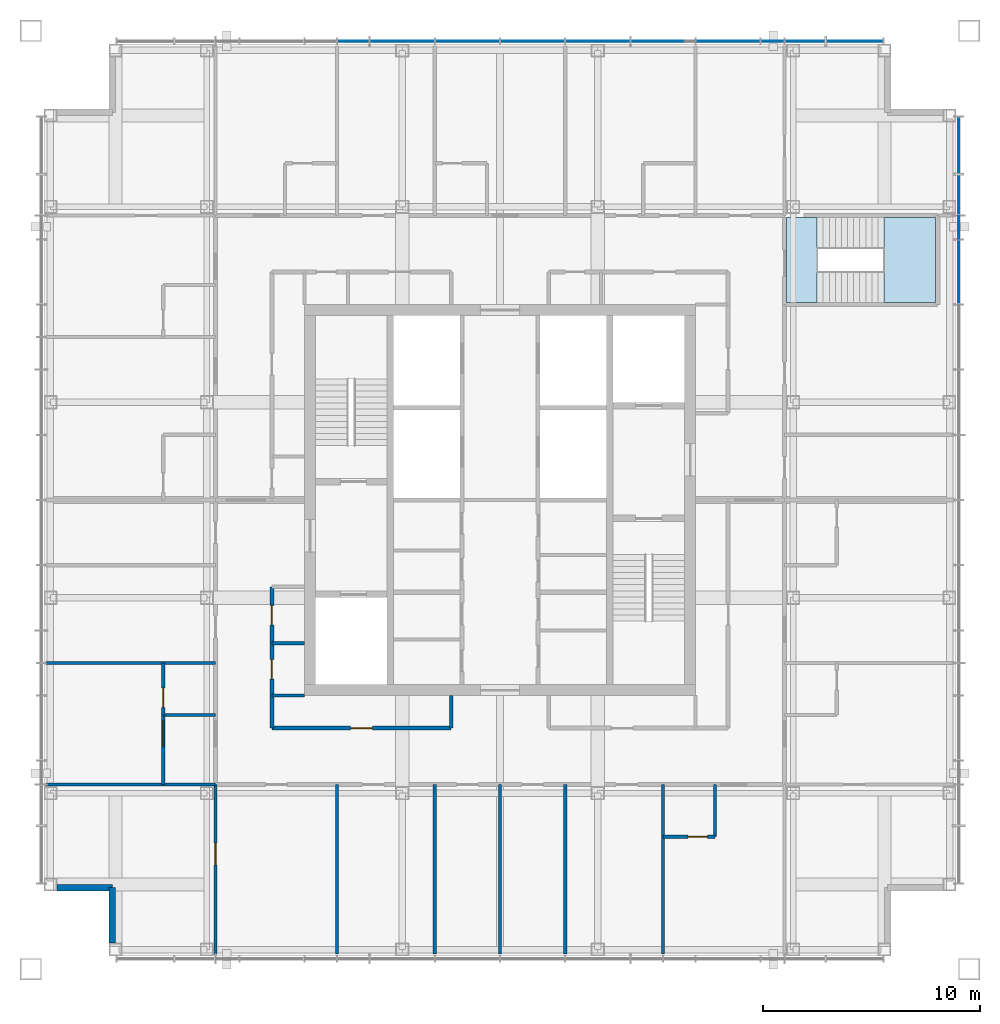
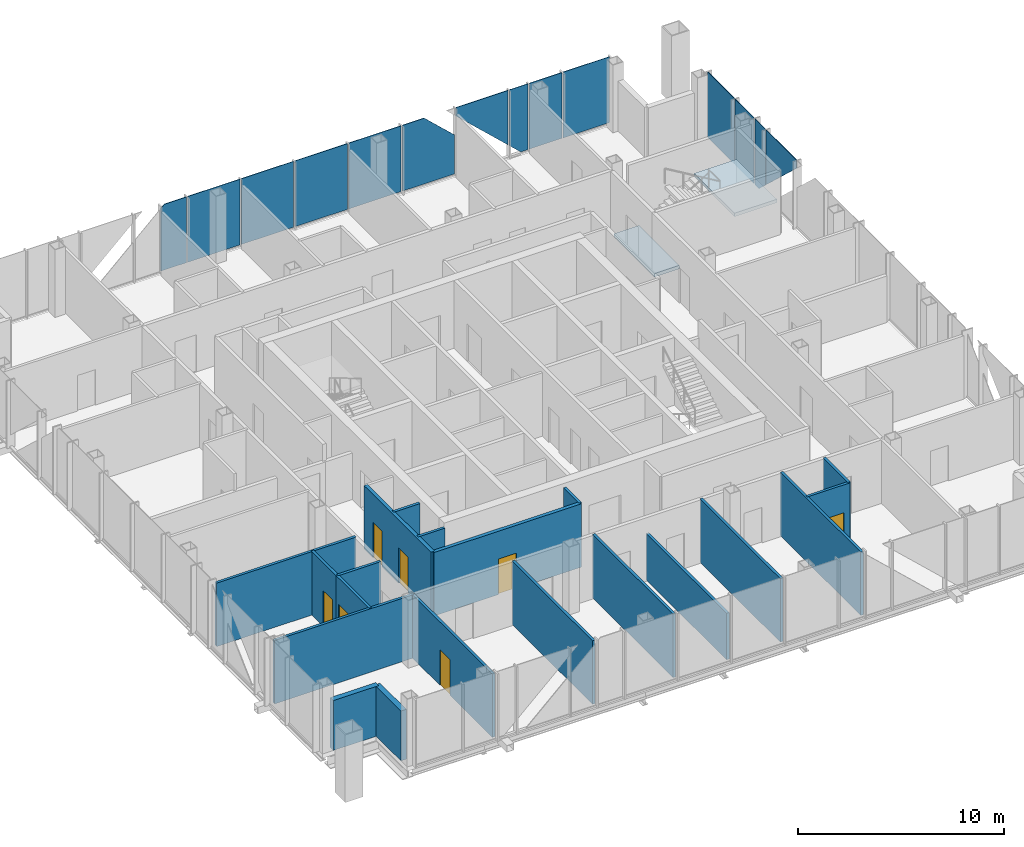
# One storey, part 7 of 14: 20 walls, 14 plates, 7 doors, 2 slabs, 7 openings, 3 elements without a shape of their own.
"""IFC4 building model written with IfcOpenShell, lengths in metres."""

from ifc_helpers import new_model, si_unit, direction, frame, frame_2d, origin, origin_2d, place, context, subcontext, project, spatial, polyline, rectangle, outline, extrude, material, layer, layer_set, type_object, element, fill, aggregate, save


model = new_model("IFC4")

# Units and contexts
model_context = context("Model", 3, precision=1e-05, world=origin(), true_north=direction((0.0, 1.0)))
body_context = subcontext(model_context, "Body", "Model", "MODEL_VIEW")
ifc_project = project(units=[si_unit("LENGTHUNIT", "METRE"), si_unit("AREAUNIT", "SQUARE_METRE"), si_unit("VOLUMEUNIT", "CUBIC_METRE"), si_unit("PLANEANGLEUNIT", "RADIAN"), si_unit("MASSUNIT", "GRAM", prefix="KILO")], contexts=[model_context])

# Site, building, storey
site_placement = place(None, origin())
site = spatial("IfcSite", under=ifc_project, at=site_placement, CompositionType="ELEMENT")
building_placement = place(site_placement, origin())
building = spatial("IfcBuilding", under=site, at=building_placement, Name="Malebo Sky Hospital", CompositionType="ELEMENT")
storey_placement = place(building_placement, frame((0.0, 0.0, 258.0)))
storey = spatial("IfcBuildingStorey", under=building, at=storey_placement, Name="L62", CompositionType="ELEMENT", Elevation=258.0)

# Stair, slabs
ifc_material_1 = material(Name="Concrete C40/50", Category="concrete")
stair_type = type_object("IfcStairType", Name="HALF-TURN STAIR 1400 R167", PredefinedType="HALF_TURN_STAIR", material=ifc_material_1)
stair_placement = place(storey_placement, origin())
stair = element("IfcStair", 1, at=stair_placement, inside=storey, type_object=stair_type, Name="Stair S3 L62 type ST1B", PredefinedType="HALF_TURN_STAIR")
ifc_layer_1 = layer(ifc_material_1, 0.199951171875)
ifc_layer_set_1 = layer_set([ifc_layer_1], Name="STAIR LANDING 200")
slab_type = type_object("IfcSlabType", Name="STAIR LANDING 200", PredefinedType="LANDING", material=ifc_layer_set_1)
slab_1_placement = place(storey_placement, frame((0.0, 0.0, -0.199951171875)))
slab_1 = element("IfcSlab", 2, at=slab_1_placement, type_object=slab_type, Name="S3 landing 1", PredefinedType="LANDING", context=body_context, shape_type="SweptSolid", body=[
    extrude(outline(polyline([(73.199951171875, 71.10009765625), (73.199951171875, 75.0), (74.60009765625, 75.0), (74.60009765625, 71.10009765625), (73.199951171875, 71.10009765625)])), origin(), (0.0, 0.0, 1.0), 0.199951171875),
])
slab_2_placement = place(storey_placement, frame((0.0, 0.0, 1.800048828125)))
slab_2 = element("IfcSlab", 3, at=slab_2_placement, type_object=slab_type, Name="S3 landing 2", PredefinedType="LANDING", context=body_context, shape_type="SweptSolid", body=[
    extrude(outline(polyline([(77.679931640625, 71.10009765625), (77.679931640625, 75.0), (80.050048828125, 75.0), (80.050048828125, 71.10009765625), (77.679931640625, 71.10009765625)])), origin(), (0.0, 0.0, 1.0), 0.199951171875),
])
aggregate(stair, [slab_1, slab_2])

# Curtain wall, plates
ifc_material_2 = material(Name="Anodised aluminium, natural silver", Category="aluminium")
ifc_layer_2 = layer(ifc_material_2, 0.25)
ifc_layer_set_2 = layer_set([ifc_layer_2], Name="WARD CURTAIN WALL NORTH AND SOUTH")
curtain_wall_type_1 = type_object("IfcCurtainWallType", Name="WARD CURTAIN WALL NORTH AND SOUTH", PredefinedType="NOTDEFINED", material=ifc_layer_set_2)
curtain_wall_1_placement = place(storey_placement, origin())
curtain_wall_1 = element("IfcCurtainWall", 4, at=curtain_wall_1_placement, inside=storey, type_object=curtain_wall_type_1, Name="NS curtain wall N", PredefinedType="NOTDEFINED")
ifc_material_3 = material(Name="Clear low-iron double glazing", Category="glass")
ifc_layer_3 = layer(ifc_material_3, 0.031982421875)
ifc_layer_set_3 = layer_set([ifc_layer_3], Name="VISION PANEL CLEAR 32")
plate_type = type_object("IfcPlateType", Name="VISION PANEL CLEAR 32", PredefinedType="CURTAIN_PANEL", material=ifc_layer_set_3)
plate_1_placement = place(storey_placement, frame((53.25, 83.125, 0.10009765625), z_axis=(0.0, 0.0, 1.0), x_axis=(1.0, 0.0, 0.0)))
plate_1 = element("IfcPlate", 5, at=plate_1_placement, type_object=plate_type, Name="Panel 6", PredefinedType="CURTAIN_PANEL", context=body_context, shape_type="SweptSolid", body=[
    extrude(outline(polyline([(-0.71240234375, 0.0), (0.71240234375, 0.0), (0.71240234375, 3.889892578125), (-0.514404296875, 3.889892578125), (-0.71240234375, 3.70458984375), (-0.71240234375, 0.0)])), frame((0.0, 0.01611328125, 0.0), z_axis=(0.0, -1.0, 0.0), x_axis=(1.0, 0.0, 0.0)), (0.0, 0.0, 1.0), 0.031982421875),
])
plate_2_placement = place(storey_placement, frame((55.5, 83.125, 0.10009765625), z_axis=(0.0, 0.0, 1.0), x_axis=(1.0, 0.0, 0.0)))
plate_2 = element("IfcPlate", 6, at=plate_2_placement, type_object=plate_type, Name="Panel 7", PredefinedType="CURTAIN_PANEL", context=body_context, shape_type="SweptSolid", body=[
    extrude(rectangle(XDim=2.925048828125, YDim=0.031982421875, at=origin_2d()), origin(), (0.0, 0.0, 1.0), 3.889892578125),
])
plate_3_placement = place(storey_placement, frame((58.5, 83.125, 0.10009765625), z_axis=(0.0, 0.0, 1.0), x_axis=(1.0, 0.0, 0.0)))
plate_3 = element("IfcPlate", 7, at=plate_3_placement, type_object=plate_type, Name="Panel 8", PredefinedType="CURTAIN_PANEL", context=body_context, shape_type="SweptSolid", body=[
    extrude(rectangle(XDim=2.925048828125, YDim=0.031982421875, at=origin_2d()), origin(), (0.0, 0.0, 1.0), 3.889892578125),
])
plate_4_placement = place(storey_placement, frame((61.5, 83.125, 0.10009765625), z_axis=(0.0, 0.0, 1.0), x_axis=(1.0, 0.0, 0.0)))
plate_4 = element("IfcPlate", 8, at=plate_4_placement, type_object=plate_type, Name="Panel 9", PredefinedType="CURTAIN_PANEL", context=body_context, shape_type="SweptSolid", body=[
    extrude(rectangle(XDim=2.925048828125, YDim=0.031982421875, at=origin_2d()), origin(), (0.0, 0.0, 1.0), 3.889892578125),
])
plate_5_placement = place(storey_placement, frame((64.5, 83.125, 0.10009765625), z_axis=(0.0, 0.0, 1.0), x_axis=(1.0, 0.0, 0.0)))
plate_5 = element("IfcPlate", 9, at=plate_5_placement, type_object=plate_type, Name="Panel 10", PredefinedType="CURTAIN_PANEL", context=body_context, shape_type="SweptSolid", body=[
    extrude(rectangle(XDim=2.925048828125, YDim=0.031982421875, at=origin_2d()), origin(), (0.0, 0.0, 1.0), 3.889892578125),
])
plate_6_placement = place(storey_placement, frame((67.5, 83.125, 0.10009765625), z_axis=(0.0, 0.0, 1.0), x_axis=(1.0, 0.0, 0.0)))
plate_6 = element("IfcPlate", 10, at=plate_6_placement, type_object=plate_type, Name="Panel 11", PredefinedType="CURTAIN_PANEL", context=body_context, shape_type="SweptSolid", body=[
    extrude(outline(polyline([(-1.46240234375, 0.0), (1.46240234375, 0.0), (1.46240234375, 2.300048828125), (-0.235595703125, 3.889892578125), (-1.46240234375, 3.889892578125), (-1.46240234375, 0.0)])), frame((0.0, 0.01611328125, 0.0), z_axis=(0.0, -1.0, 0.0), x_axis=(1.0, 0.0, 0.0)), (0.0, 0.0, 1.0), 0.031982421875),
])
plate_7_placement = place(storey_placement, frame((70.5, 83.125, 0.7568359375), z_axis=(0.0, 0.0, 1.0), x_axis=(1.0, 0.0, 0.0)))
plate_7 = element("IfcPlate", 11, at=plate_7_placement, type_object=plate_type, Name="Panel 12", PredefinedType="CURTAIN_PANEL", context=body_context, shape_type="SweptSolid", body=[
    extrude(outline(polyline([(1.46240234375, 0.0), (1.46240234375, 3.233154296875), (-1.46240234375, 3.233154296875), (-1.46240234375, 2.73876953125), (1.46240234375, 0.0)])), frame((0.0, 0.01611328125, 0.0), z_axis=(0.0, -1.0, 0.0), x_axis=(1.0, 0.0, 0.0)), (0.0, 0.0, 1.0), 0.031982421875),
])
plate_8_placement = place(storey_placement, frame((72.550048828125, 83.125, 0.10009765625), z_axis=(0.0, 0.0, 1.0), x_axis=(1.0, 0.0, 0.0)))
plate_8 = element("IfcPlate", 12, at=plate_8_placement, type_object=plate_type, Name="Panel 13", PredefinedType="CURTAIN_PANEL", context=body_context, shape_type="SweptSolid", body=[
    extrude(outline(polyline([(0.114013671875, 0.0), (0.512451171875, 0.0), (0.512451171875, 3.889892578125), (-0.512451171875, 3.889892578125), (-0.512451171875, 0.586669921875), (0.114013671875, 0.0)])), frame((0.0, 0.01611328125, 0.0), z_axis=(0.0, -1.0, 0.0), x_axis=(1.0, 0.0, 0.0)), (0.0, 0.0, 1.0), 0.031982421875),
])
plate_9_placement = place(storey_placement, frame((74.050048828125, 83.125, 0.10009765625), z_axis=(0.0, 0.0, 1.0), x_axis=(1.0, 0.0, 0.0)))
plate_9 = element("IfcPlate", 13, at=plate_9_placement, type_object=plate_type, Name="Panel 14", PredefinedType="CURTAIN_PANEL", context=body_context, shape_type="SweptSolid", body=[
    extrude(rectangle(XDim=1.824951171875, YDim=0.031982421875, at=origin_2d()), origin(), (0.0, 0.0, 1.0), 3.889892578125),
])
plate_10_placement = place(storey_placement, frame((76.331298828125, 83.125, 0.10009765625), z_axis=(0.0, 0.0, 1.0), x_axis=(1.0, 0.0, 0.0)))
plate_10 = element("IfcPlate", 14, at=plate_10_placement, type_object=plate_type, Name="Panel 15", PredefinedType="CURTAIN_PANEL", context=body_context, shape_type="SweptSolid", body=[
    extrude(rectangle(XDim=2.58740234375, YDim=0.031982421875, at=origin_2d()), origin(), (0.0, 0.0, 1.0), 3.889892578125),
])
aggregate(curtain_wall_1, [plate_1, plate_2, plate_3, plate_4, plate_5, plate_6, plate_7, plate_8, plate_9, plate_10])

ifc_layer_4 = layer(ifc_material_2, 0.25)
ifc_layer_set_4 = layer_set([ifc_layer_4], Name="WARD CURTAIN WALL EAST AND WEST")
curtain_wall_type_2 = type_object("IfcCurtainWallType", Name="WARD CURTAIN WALL EAST AND WEST", PredefinedType="NOTDEFINED", material=ifc_layer_set_4)
curtain_wall_2_placement = place(storey_placement, origin())
curtain_wall_2 = element("IfcCurtainWall", 15, at=curtain_wall_2_placement, inside=storey, type_object=curtain_wall_type_2, Name="EW curtain wall E", PredefinedType="NOTDEFINED")
plate_11_placement = place(storey_placement, frame((81.125, 78.331298828125, 0.10009765625), z_axis=(0.0, 0.0, 1.0), x_axis=(0.0, -1.0, 0.0)))
plate_11 = element("IfcPlate", 16, at=plate_11_placement, type_object=plate_type, Name="Panel 1", PredefinedType="CURTAIN_PANEL", context=body_context, shape_type="SweptSolid", body=[
    extrude(rectangle(XDim=2.58740234375, YDim=0.031982421875, at=origin_2d()), origin(), (0.0, 0.0, 1.0), 3.889892578125),
])
plate_12_placement = place(storey_placement, frame((81.125, 76.050048828125, 0.10009765625), z_axis=(0.0, 0.0, 1.0), x_axis=(0.0, -1.0, 0.0)))
plate_12 = element("IfcPlate", 17, at=plate_12_placement, type_object=plate_type, Name="Panel 2", PredefinedType="CURTAIN_PANEL", context=body_context, shape_type="SweptSolid", body=[
    extrude(rectangle(XDim=1.824951171875, YDim=0.031982421875, at=origin_2d()), origin(), (0.0, 0.0, 1.0), 3.889892578125),
])
plate_13_placement = place(storey_placement, frame((81.125, 74.550048828125, 0.10009765625), z_axis=(0.0, 0.0, 1.0), x_axis=(0.0, -1.0, 0.0)))
plate_13 = element("IfcPlate", 18, at=plate_13_placement, type_object=plate_type, Name="Panel 3", PredefinedType="CURTAIN_PANEL", context=body_context, shape_type="SweptSolid", body=[
    extrude(outline(polyline([(-0.512451171875, 0.0), (-0.114013671875, 0.0), (0.512451171875, 0.586669921875), (0.512451171875, 3.889892578125), (-0.512451171875, 3.889892578125), (-0.512451171875, 0.0)])), frame((0.0, 0.01611328125, 0.0), z_axis=(0.0, -1.0, 0.0), x_axis=(1.0, 0.0, 0.0)), (0.0, 0.0, 1.0), 0.031982421875),
])
plate_14_placement = place(storey_placement, frame((81.125, 72.5, 0.7568359375), z_axis=(0.0, 0.0, 1.0), x_axis=(0.0, -1.0, 0.0)))
plate_14 = element("IfcPlate", 19, at=plate_14_placement, type_object=plate_type, Name="Panel 4", PredefinedType="CURTAIN_PANEL", context=body_context, shape_type="SweptSolid", body=[
    extrude(outline(polyline([(-1.46240234375, 0.0), (1.46240234375, 2.73876953125), (1.46240234375, 3.233154296875), (-1.46240234375, 3.233154296875), (-1.46240234375, 0.0)])), frame((0.0, 0.01611328125, 0.0), z_axis=(0.0, -1.0, 0.0), x_axis=(1.0, 0.0, 0.0)), (0.0, 0.0, 1.0), 0.031982421875),
])
aggregate(curtain_wall_2, [plate_11, plate_12, plate_13, plate_14])

# Wall, openings, doors
ifc_material_4 = material(Name="Gypsum board on steel studs", Category="steel")
ifc_layer_5 = layer(ifc_material_4, 0.199951171875)
ifc_layer_set_5 = layer_set([ifc_layer_5], Name="CORRIDOR WALL 200")
wall_type_1 = type_object("IfcWallType", Name="CORRIDOR WALL 200", PredefinedType="PARTITIONING", material=ifc_layer_set_5)
wall_1_placement = place(storey_placement, frame((49.5, 51.5, 0.0), z_axis=(0.0, 0.0, 1.0), x_axis=(0.0, 1.0, 0.0)))
wall_1 = element("IfcWall", 20, at=wall_1_placement, inside=storey, type_object=wall_type_1, Name="Corridor Wall 200 WCI1", PredefinedType="PARTITIONING", context=body_context, shape_type="SweptSolid", body=[
    extrude(rectangle(XDim=6.5, YDim=0.199951171875, at=frame_2d((3.25, 0.0))), origin(), (0.0, 0.0, 1.0), 3.75),
])
opening_1_placement = place(wall_1_placement, frame((2.25, 0.0, 0.0)))
opening_1 = element("IfcOpeningElement", 21, at=opening_1_placement, cuts=wall_1, Name="Opening D04", PredefinedType="OPENING", context=body_context, shape_type="SweptSolid", body=[
    extrude(rectangle(XDim=0.89990234375, YDim=2.10009765625, at=frame_2d((0.449951171875, 1.050048828125))), frame((0.0, 0.10986328125, 0.0), z_axis=(0.0, -1.0, 0.0), x_axis=(1.0, 0.0, 0.0)), (0.0, 0.0, 1.0), 0.219970703125),
])
opening_2_placement = place(wall_1_placement, frame((4.75, 0.0, 0.0)))
opening_2 = element("IfcOpeningElement", 22, at=opening_2_placement, cuts=wall_1, Name="Opening D04", PredefinedType="OPENING", context=body_context, shape_type="SweptSolid", body=[
    extrude(rectangle(XDim=0.89990234375, YDim=2.10009765625, at=frame_2d((0.449951171875, 1.050048828125))), frame((0.0, 0.10986328125, 0.0), z_axis=(0.0, -1.0, 0.0), x_axis=(1.0, 0.0, 0.0)), (0.0, 0.0, 1.0), 0.219970703125),
])
ifc_material_5 = material(Name="Hardwood-faced door leaf in steel frame", Category="steel")
door_type_1 = type_object("IfcDoorType", Name="ROOM DOOR 900", OperationType="SINGLE_SWING_LEFT", PredefinedType="DOOR", material=ifc_material_5)
door_1_placement = place(opening_1_placement, origin())
door_1 = element("IfcDoor", 23, at=door_1_placement, inside=storey, type_object=door_type_1, Name="Communications room door", OperationType="SINGLE_SWING_LEFT", OverallHeight=2.10009765625, OverallWidth=0.89990234375, PredefinedType="DOOR", context=body_context, shape_type="SweptSolid", body=[
    extrude(rectangle(XDim=0.89990234375, YDim=2.10009765625, at=frame_2d((0.449951171875, 1.050048828125))), frame((0.0, 0.02490234375, 0.0), z_axis=(0.0, -1.0, 0.0), x_axis=(1.0, 0.0, 0.0)), (0.0, 0.0, 1.0), 0.050048828125),
])
fill(opening_1, door_1)
door_2_placement = place(opening_2_placement, origin())
door_2 = element("IfcDoor", 24, at=door_2_placement, inside=storey, type_object=door_type_1, Name="Equipment store door", OperationType="SINGLE_SWING_LEFT", OverallHeight=2.10009765625, OverallWidth=0.89990234375, PredefinedType="DOOR", context=body_context, shape_type="SweptSolid", body=[
    extrude(rectangle(XDim=0.89990234375, YDim=2.10009765625, at=frame_2d((0.449951171875, 1.050048828125))), frame((0.0, 0.02490234375, 0.0), z_axis=(0.0, -1.0, 0.0), x_axis=(1.0, 0.0, 0.0)), (0.0, 0.0, 1.0), 0.050048828125),
])
fill(opening_2, door_2)

# Wall, opening, door
wall_2_placement = place(storey_placement, frame((57.75, 51.5, 0.0), z_axis=(0.0, 0.0, 1.0), x_axis=(-1.0, 0.0, 0.0)))
wall_2 = element("IfcWall", 25, at=wall_2_placement, inside=storey, type_object=wall_type_1, Name="Corridor Wall 200 SCI2", PredefinedType="PARTITIONING", context=body_context, shape_type="SweptSolid", body=[
    extrude(rectangle(XDim=8.25, YDim=0.199951171875, at=frame_2d((4.125, 0.0))), origin(), (0.0, 0.0, 1.0), 3.75),
])
opening_3_placement = place(wall_2_placement, frame((3.625, 0.0, 0.0)))
opening_3 = element("IfcOpeningElement", 26, at=opening_3_placement, cuts=wall_2, Name="Opening D03", PredefinedType="OPENING", context=body_context, shape_type="SweptSolid", body=[
    extrude(rectangle(XDim=1.0, YDim=2.10009765625, at=frame_2d((0.5, 1.050048828125))), frame((0.0, 0.10986328125, 0.0), z_axis=(0.0, -1.0, 0.0), x_axis=(1.0, 0.0, 0.0)), (0.0, 0.0, 1.0), 0.219970703125),
])
door_type_2 = type_object("IfcDoorType", Name="ROOM DOOR 1000", OperationType="SINGLE_SWING_LEFT", PredefinedType="DOOR", material=ifc_material_5)
door_3_placement = place(opening_3_placement, origin())
door_3 = element("IfcDoor", 27, at=door_3_placement, inside=storey, type_object=door_type_2, Name="Mobile equipment store door", OperationType="SINGLE_SWING_RIGHT", OverallHeight=2.10009765625, OverallWidth=1.0, PredefinedType="DOOR", context=body_context, shape_type="SweptSolid", body=[
    extrude(rectangle(XDim=1.0, YDim=2.10009765625, at=frame_2d((0.5, 1.050048828125))), frame((0.0, 0.02490234375, 0.0), z_axis=(0.0, -1.0, 0.0), x_axis=(1.0, 0.0, 0.0)), (0.0, 0.0, 1.0), 0.050048828125),
])
fill(opening_3, door_3)

# Walls
ifc_material_6 = material(Name="Anodised aluminium rainscreen on steel framing", Category="steel")
ifc_layer_6 = layer(ifc_material_6, 0.300048828125)
ifc_layer_set_6 = layer_set([ifc_layer_6], Name="NOTCH RAINSCREEN WALL 300")
wall_type_2 = type_object("IfcWallType", Name="NOTCH RAINSCREEN WALL 300", PredefinedType="ELEMENTEDWALL", material=ifc_layer_set_6)
for number, where, z_axis, x_axis, name in (
    (28, (42.14990234375, 41.60009765625, 0.0), (0.0, 0.0, 1.0), (0.0, 1.0, 0.0), "Notch rainscreen wall S1 L62"),
    (29, (42.14990234375, 44.14990234375, 0.0), (0.0, 0.0, 1.0), (-1.0, 0.0, 0.0), "Notch rainscreen wall S2 L62"),
):
    element("IfcWall", number, at=place(storey_placement, frame(where, z_axis=z_axis, x_axis=x_axis)), inside=storey, type_object=wall_type_2, Name=name, PredefinedType="ELEMENTEDWALL", context=body_context, shape_type="SweptSolid", body=[
        extrude(rectangle(XDim=2.5498046875, YDim=0.300048828125, at=frame_2d((1.27490234375, 0.0))), origin(), (0.0, 0.0, 1.0), 2.949951171875),
    ])
ifc_layer_7 = layer(ifc_material_4, 0.14990234375)
ifc_layer_set_7 = layer_set([ifc_layer_7], Name="PARTITION 150")
wall_type_3 = type_object("IfcWallType", Name="PARTITION 150", PredefinedType="PARTITIONING", material=ifc_layer_set_7)
for number, where, z_axis, x_axis, name in (
    (30, (46.89990234375, 54.5, 0.0), (0.0, 0.0, 1.0), (-1.0, 0.0, 0.0), "Partition 150 WP-7.5"),
    (31, (46.89990234375, 48.89990234375, 0.0), (0.0, 0.0, 1.0), (-1.0, 0.0, 0.0), "Partition 150 WP0"),
):
    element("IfcWall", number, at=place(storey_placement, frame(where, z_axis=z_axis, x_axis=x_axis)), inside=storey, type_object=wall_type_3, Name=name, PredefinedType="PARTITIONING", context=body_context, shape_type="SweptSolid", body=[
        extrude(rectangle(XDim=7.7998046875, YDim=0.14990234375, at=frame_2d((3.89990234375, 0.0))), origin(), (0.0, 0.0, 1.0), 3.75),
    ])

# Wall, opening, door
wall_3_placement = place(storey_placement, frame((44.5, 52.10009765625, 0.0), z_axis=(0.0, 0.0, 1.0), x_axis=(0.0, 1.0, 0.0)))
wall_3 = element("IfcWall", 32, at=wall_3_placement, inside=storey, type_object=wall_type_3, Name="Partition 150 WE0F", PredefinedType="PARTITIONING", context=body_context, shape_type="SweptSolid", body=[
    extrude(rectangle(XDim=2.39990234375, YDim=0.14990234375, at=frame_2d((1.199951171875, 0.0))), origin(), (0.0, 0.0, 1.0), 3.75),
])
opening_4_placement = place(wall_3_placement, frame((0.35009765625, 0.0, 0.0)))
opening_4 = element("IfcOpeningElement", 33, at=opening_4_placement, cuts=wall_3, Name="Opening D02", PredefinedType="OPENING", context=body_context, shape_type="SweptSolid", body=[
    extrude(rectangle(XDim=0.89990234375, YDim=2.10009765625, at=frame_2d((0.449951171875, 1.050048828125))), frame((0.0, 0.0849609375, 0.0), z_axis=(0.0, -1.0, 0.0), x_axis=(1.0, 0.0, 0.0)), (0.0, 0.0, 1.0), 0.169921875),
])
door_type_3 = type_object("IfcDoorType", Name="EN-SUITE DOOR 900", OperationType="SINGLE_SWING_LEFT", PredefinedType="DOOR", material=ifc_material_5)
door_4_placement = place(opening_4_placement, origin())
door_4 = element("IfcDoor", 34, at=door_4_placement, inside=storey, type_object=door_type_3, Name="En-suite door", OperationType="SINGLE_SWING_LEFT", OverallHeight=2.10009765625, OverallWidth=0.89990234375, PredefinedType="DOOR", context=body_context, shape_type="SweptSolid", body=[
    extrude(rectangle(XDim=0.89990234375, YDim=2.10009765625, at=frame_2d((0.449951171875, 1.050048828125))), frame((0.0, 0.02490234375, 0.0), z_axis=(0.0, -1.0, 0.0), x_axis=(1.0, 0.0, 0.0)), (0.0, 0.0, 1.0), 0.050048828125),
])
fill(opening_4, door_4)

# Walls
wall_4_placement = place(storey_placement, frame((46.89990234375, 52.10009765625, 0.0), z_axis=(0.0, 0.0, 1.0), x_axis=(-1.0, 0.0, 0.0)))
element("IfcWall", 35, at=wall_4_placement, inside=storey, type_object=wall_type_3, Name="Partition 150 WE0S", PredefinedType="PARTITIONING", context=body_context, shape_type="SweptSolid", body=[
    extrude(rectangle(XDim=2.39990234375, YDim=0.14990234375, at=frame_2d((1.199951171875, 0.0))), origin(), (0.0, 0.0, 1.0), 3.75),
])
for number, where, z_axis, x_axis, name in (
    (36, (51.0, 53.0, 0.0), (0.0, 0.0, 1.0), (-1.0, 0.0, 0.0), "Partition 150 WSP0"),
    (37, (51.0, 55.39990234375, 0.0), (0.0, 0.0, 1.0), (-1.0, 0.0, 0.0), "Partition 150 WSP-6.6"),
):
    element("IfcWall", number, at=place(storey_placement, frame(where, z_axis=z_axis, x_axis=x_axis)), inside=storey, type_object=wall_type_3, Name=name, PredefinedType="PARTITIONING", context=body_context, shape_type="SweptSolid", body=[
        extrude(rectangle(XDim=1.5, YDim=0.14990234375, at=frame_2d((0.75, 0.0))), origin(), (0.0, 0.0, 1.0), 3.75),
    ])
for number, where, z_axis, x_axis, name in (
    (38, (67.5, 48.89990234375, 0.0), (0.0, 0.0, 1.0), (0.0, -1.0, 0.0), "Partition 150 SP-7.5"),
    (39, (63.0, 48.89990234375, 0.0), (0.0, 0.0, 1.0), (0.0, -1.0, 0.0), "Partition 150 SP-3.0"),
):
    element("IfcWall", number, at=place(storey_placement, frame(where, z_axis=z_axis, x_axis=x_axis)), inside=storey, type_object=wall_type_3, Name=name, PredefinedType="PARTITIONING", context=body_context, shape_type="SweptSolid", body=[
        extrude(rectangle(XDim=7.7998046875, YDim=0.14990234375, at=frame_2d((3.89990234375, 0.0))), origin(), (0.0, 0.0, 1.0), 3.75),
    ])
wall_5_placement = place(storey_placement, frame((60.0, 48.89990234375, 0.0), z_axis=(0.0, 0.0, 1.0), x_axis=(0.0, -1.0, 0.0)))
element("IfcWall", 40, at=wall_5_placement, inside=storey, type_object=wall_type_3, Name="Partition 150 SP+0.0", PredefinedType="PARTITIONING", context=body_context, shape_type="SweptSolid", body=[
    extrude(rectangle(XDim=7.7998046875, YDim=0.14990234375, at=frame_2d((3.89990234375, 0.0))), origin(), (0.0, 0.0, 1.0), 2.75),
])
for number, where, z_axis, x_axis, name in (
    (41, (57.0, 48.89990234375, 0.0), (0.0, 0.0, 1.0), (0.0, -1.0, 0.0), "Partition 150 SP+3.0"),
    (42, (52.5, 48.89990234375, 0.0), (0.0, 0.0, 1.0), (0.0, -1.0, 0.0), "Partition 150 SP+7.5"),
):
    element("IfcWall", number, at=place(storey_placement, frame(where, z_axis=z_axis, x_axis=x_axis)), inside=storey, type_object=wall_type_3, Name=name, PredefinedType="PARTITIONING", context=body_context, shape_type="SweptSolid", body=[
        extrude(rectangle(XDim=7.7998046875, YDim=0.14990234375, at=frame_2d((3.89990234375, 0.0))), origin(), (0.0, 0.0, 1.0), 3.75),
    ])

# Wall, opening, door
wall_6_placement = place(storey_placement, frame((69.89990234375, 46.5, 0.0), z_axis=(0.0, 0.0, 1.0), x_axis=(-1.0, 0.0, 0.0)))
wall_6 = element("IfcWall", 43, at=wall_6_placement, inside=storey, type_object=wall_type_3, Name="Partition 150 SE0F", PredefinedType="PARTITIONING", context=body_context, shape_type="SweptSolid", body=[
    extrude(rectangle(XDim=2.39990234375, YDim=0.14990234375, at=frame_2d((1.199951171875, 0.0))), origin(), (0.0, 0.0, 1.0), 3.75),
])
opening_5_placement = place(wall_6_placement, frame((0.35009765625, 0.0, 0.0)))
opening_5 = element("IfcOpeningElement", 44, at=opening_5_placement, cuts=wall_6, Name="Opening D02", PredefinedType="OPENING", context=body_context, shape_type="SweptSolid", body=[
    extrude(rectangle(XDim=0.89990234375, YDim=2.10009765625, at=frame_2d((0.449951171875, 1.050048828125))), frame((0.0, 0.0849609375, 0.0), z_axis=(0.0, -1.0, 0.0), x_axis=(1.0, 0.0, 0.0)), (0.0, 0.0, 1.0), 0.169921875),
])
door_5_placement = place(opening_5_placement, origin())
door_5 = element("IfcDoor", 45, at=door_5_placement, inside=storey, type_object=door_type_3, Name="En-suite door", OperationType="SINGLE_SWING_LEFT", OverallHeight=2.10009765625, OverallWidth=0.89990234375, PredefinedType="DOOR", context=body_context, shape_type="SweptSolid", body=[
    extrude(rectangle(XDim=0.89990234375, YDim=2.10009765625, at=frame_2d((0.449951171875, 1.050048828125))), frame((0.0, 0.02490234375, 0.0), z_axis=(0.0, -1.0, 0.0), x_axis=(1.0, 0.0, 0.0)), (0.0, 0.0, 1.0), 0.050048828125),
])
fill(opening_5, door_5)

# Wall
wall_7_placement = place(storey_placement, frame((69.89990234375, 48.89990234375, 0.0), z_axis=(0.0, 0.0, 1.0), x_axis=(0.0, -1.0, 0.0)))
element("IfcWall", 46, at=wall_7_placement, inside=storey, type_object=wall_type_3, Name="Partition 150 SE0S", PredefinedType="PARTITIONING", context=body_context, shape_type="SweptSolid", body=[
    extrude(rectangle(XDim=2.39990234375, YDim=0.14990234375, at=frame_2d((1.199951171875, 0.0))), origin(), (0.0, 0.0, 1.0), 3.75),
])

# Wall, opening, door
wall_8_placement = place(storey_placement, frame((46.89990234375, 48.89990234375, 0.0), z_axis=(0.0, 0.0, 1.0), x_axis=(0.0, -1.0, 0.0)))
wall_8 = element("IfcWall", 47, at=wall_8_placement, inside=storey, type_object=wall_type_3, Name="Partition 150 SK", PredefinedType="PARTITIONING", context=body_context, shape_type="SweptSolid", body=[
    extrude(rectangle(XDim=7.7998046875, YDim=0.14990234375, at=frame_2d((3.89990234375, 0.0))), origin(), (0.0, 0.0, 1.0), 3.75),
])
opening_6_placement = place(wall_8_placement, frame((2.699951171875, 0.0, 0.0)))
opening_6 = element("IfcOpeningElement", 48, at=opening_6_placement, cuts=wall_8, Name="Opening D03", PredefinedType="OPENING", context=body_context, shape_type="SweptSolid", body=[
    extrude(rectangle(XDim=1.0, YDim=2.10009765625, at=frame_2d((0.5, 1.050048828125))), frame((0.0, 0.0849609375, 0.0), z_axis=(0.0, -1.0, 0.0), x_axis=(1.0, 0.0, 0.0)), (0.0, 0.0, 1.0), 0.169921875),
])
door_6_placement = place(opening_6_placement, origin())
door_6 = element("IfcDoor", 49, at=door_6_placement, inside=storey, type_object=door_type_2, Name="Quiet room door", OperationType="SINGLE_SWING_LEFT", OverallHeight=2.10009765625, OverallWidth=1.0, PredefinedType="DOOR", context=body_context, shape_type="SweptSolid", body=[
    extrude(rectangle(XDim=1.0, YDim=2.10009765625, at=frame_2d((0.5, 1.050048828125))), frame((0.0, 0.02490234375, 0.0), z_axis=(0.0, -1.0, 0.0), x_axis=(1.0, 0.0, 0.0)), (0.0, 0.0, 1.0), 0.050048828125),
])
fill(opening_6, door_6)

# Wall
wall_9_placement = place(storey_placement, frame((57.75, 53.0, 0.0), z_axis=(0.0, 0.0, 1.0), x_axis=(0.0, -1.0, 0.0)))
element("IfcWall", 50, at=wall_9_placement, inside=storey, type_object=wall_type_3, Name="Partition 150 SSPB", PredefinedType="PARTITIONING", context=body_context, shape_type="SweptSolid", body=[
    extrude(rectangle(XDim=1.5, YDim=0.14990234375, at=frame_2d((0.75, 0.0))), origin(), (0.0, 0.0, 1.0), 3.75),
])

# Wall, opening, door
ifc_material_7 = material(Name="Sealed gypsum board on steel studs, taped to the slab", Category="steel")
ifc_layer_8 = layer(ifc_material_7, 0.14990234375)
ifc_layer_set_8 = layer_set([ifc_layer_8], Name="SEALED ISOLATION PARTITION 150")
wall_type_4 = type_object("IfcWallType", Name="SEALED ISOLATION PARTITION 150", PredefinedType="PARTITIONING", material=ifc_layer_set_8)
wall_10_placement = place(storey_placement, frame((44.5, 48.89990234375, 0.0), z_axis=(0.0, 0.0, 1.0), x_axis=(0.0, 1.0, 0.0)))
wall_10 = element("IfcWall", 51, at=wall_10_placement, inside=storey, type_object=wall_type_4, Name="Sealed Isolation Partition 150 WA0F", PredefinedType="PARTITIONING", context=body_context, shape_type="SweptSolid", body=[
    extrude(rectangle(XDim=3.2001953125, YDim=0.14990234375, at=frame_2d((1.60009765625, 0.0))), origin(), (0.0, 0.0, 1.0), 3.75),
])
opening_7_placement = place(wall_10_placement, frame((1.75, 0.0, 0.0)))
opening_7 = element("IfcOpeningElement", 52, at=opening_7_placement, cuts=wall_10, Name="Opening D19", PredefinedType="OPENING", context=body_context, shape_type="SweptSolid", body=[
    extrude(rectangle(XDim=1.199951171875, YDim=2.199951171875, at=frame_2d((0.60009765625, 1.10009765625))), frame((0.0, 0.0849609375, 0.0), z_axis=(0.0, -1.0, 0.0), x_axis=(1.0, 0.0, 0.0)), (0.0, 0.0, 1.0), 0.169921875),
])
ifc_material_8 = material(Name="Hardwood-faced door leaf with perimeter seals in steel frame", Category="steel")
door_type_4 = type_object("IfcDoorType", Name="SEALED ISOLATION ROOM DOOR 1200", OperationType="SINGLE_SWING_LEFT", PredefinedType="DOOR", material=ifc_material_8)
door_7_placement = place(opening_7_placement, origin())
door_7 = element("IfcDoor", 53, at=door_7_placement, inside=storey, type_object=door_type_4, Name="Isolation room door", OperationType="SINGLE_SWING_RIGHT", OverallHeight=2.199951171875, OverallWidth=1.199951171875, PredefinedType="DOOR", context=body_context, shape_type="SweptSolid", body=[
    extrude(rectangle(XDim=1.199951171875, YDim=2.199951171875, at=frame_2d((0.60009765625, 1.10009765625))), frame((0.0, 0.02490234375, 0.0), z_axis=(0.0, -1.0, 0.0), x_axis=(1.0, 0.0, 0.0)), (0.0, 0.0, 1.0), 0.050048828125),
])
fill(opening_7, door_7)

save(model, "model.ifc")
